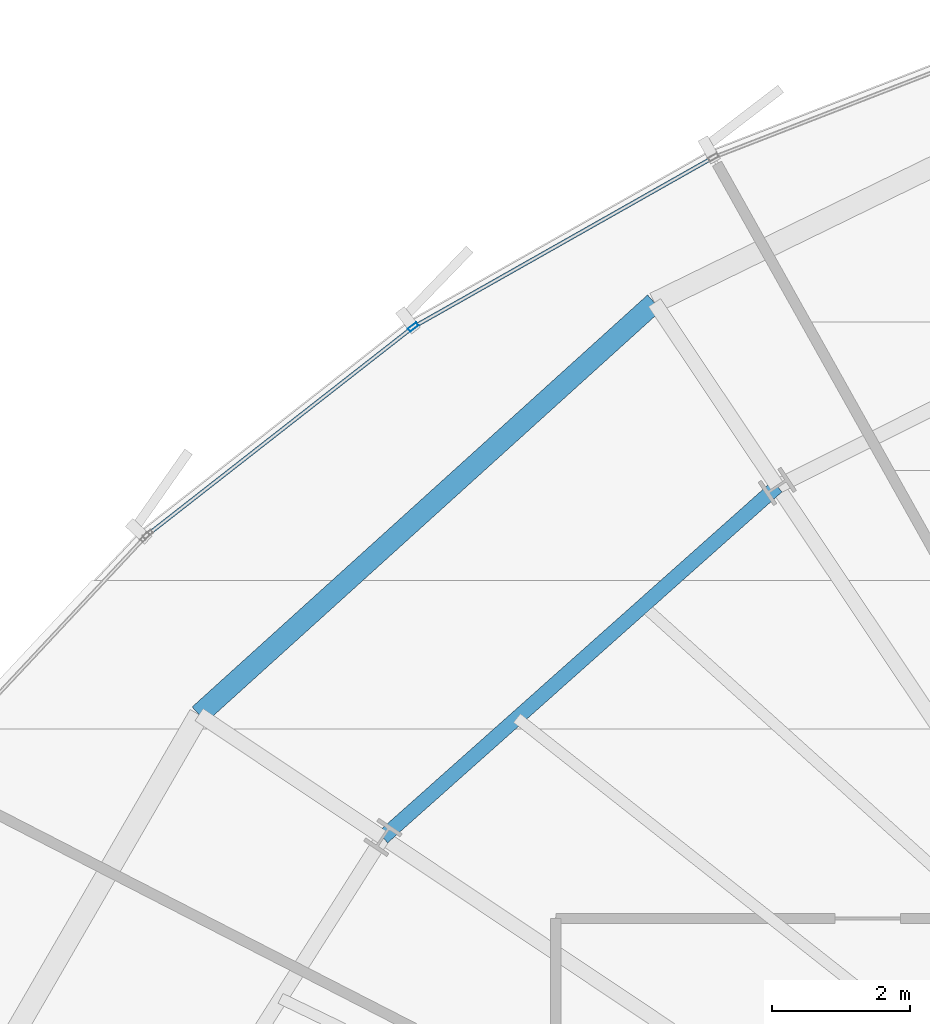
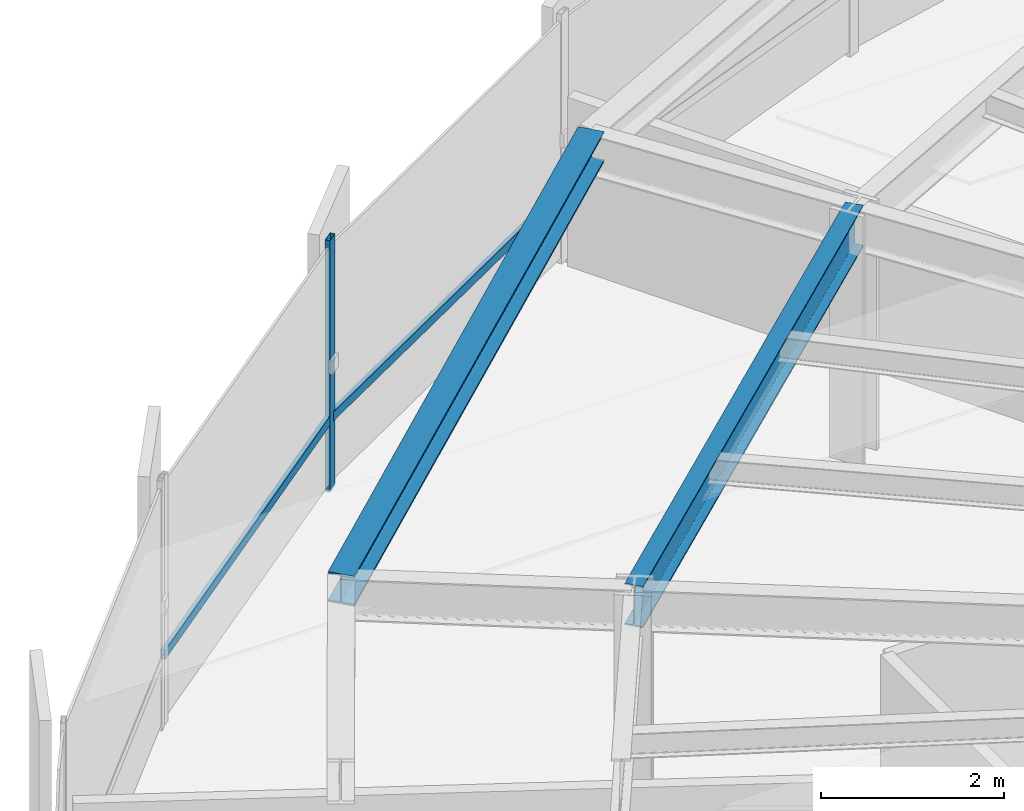
# One storey, part 19 of 35: 3 members, 2 beams, 1 element without a shape of its own.
"""IFC4 building model written with IfcOpenShell, lengths in metres."""

from ifc_helpers import new_model, si_unit, direction, frame, origin, origin_2d, place, context, subcontext, project, spatial, hollow_rectangle, i_section, extrude, source, transform, mapped, material, layer, layer_set, material_profile, profile_set, type_object, element, aggregate, save


model = new_model("IFC4")

# Units and contexts
model_context = context("Model", 3, precision=1e-05, world=origin(), true_north=direction((0.0, 1.0)))
body_context = subcontext(model_context, "Body", "Model", "MODEL_VIEW")
ifc_project = project(units=[si_unit("LENGTHUNIT", "METRE"), si_unit("AREAUNIT", "SQUARE_METRE"), si_unit("VOLUMEUNIT", "CUBIC_METRE"), si_unit("PLANEANGLEUNIT", "RADIAN"), si_unit("MASSUNIT", "GRAM", prefix="KILO"), si_unit("THERMODYNAMICTEMPERATUREUNIT", "KELVIN")], contexts=[model_context])

# Site, building, storey
site_placement = place(None, origin())
site = spatial("IfcSite", under=ifc_project, at=site_placement, CompositionType="ELEMENT")
building_placement = place(site_placement, origin())
building = spatial("IfcBuilding", under=site, at=building_placement, Name="Kethvar Cultural Tower", CompositionType="ELEMENT")
storey_placement = place(building_placement, frame((0.0, 0.0, 103.60009765625)))
storey = spatial("IfcBuildingStorey", under=building, at=storey_placement, Name="L25", CompositionType="ELEMENT", Elevation=103.60009765625)

# Beams
ifc_material_1 = material(Name="Steel S355J2", Category="steel")
ifc_material_profile_1 = material_profile(ifc_material_1, i_section(OverallWidth=0.2099609375, OverallDepth=0.550048828125, WebThickness=0.010986328125, FlangeThickness=0.01708984375, FilletRadius=0.02392578125, at=origin_2d()), Name="Steel S355J2 — IPE550")
ifc_profile_set_1 = profile_set([ifc_material_profile_1], Name="Steel S355J2 — IPE550")
beam_type_1 = type_object("IfcBeamType", Name="BM-IPE550", PredefinedType="BEAM", material=ifc_profile_set_1)
shared_shape_1 = source(origin(), body_context, "Body", "SweptSolid", [
    extrude(i_section(OverallWidth=0.2099609375, OverallDepth=0.550048828125, WebThickness=0.010986328125, FlangeThickness=0.01708984375, FilletRadius=0.02392578125, at=origin_2d()), origin(), (0.0, 0.0, 1.0), 7.64599609375),
])
beam_1_placement = place(storey_placement, frame((36.0576171875, 43.877197265625, 3.072998046875), z_axis=(-0.747021617367, -0.66479974668, 0.0), x_axis=(0.66479974668, -0.747021617367, 0.0)))
element("IfcBeam", 1, at=beam_1_placement, inside=storey, type_object=beam_type_1, Name="L25 Column Ring Tie Beam CR-06", PredefinedType="BEAM", context=body_context, shape_type="MappedRepresentation", body=[
    mapped(shared_shape_1, transform((0.0, 0.0, 0.0), scale=1.0)),
])
ifc_material_profile_2 = material_profile(ifc_material_1, i_section(OverallWidth=0.300048828125, OverallDepth=0.39990234375, WebThickness=0.013427734375, FlangeThickness=0.02392578125, FilletRadius=0.027099609375, at=origin_2d()), Name="Steel S355J2 — HEB400")
ifc_profile_set_2 = profile_set([ifc_material_profile_2], Name="Steel S355J2 — HEB400")
beam_type_2 = type_object("IfcBeamType", Name="BM-SP400", PredefinedType="SPANDREL", material=ifc_profile_set_2)
shared_shape_2 = source(origin(), body_context, "Body", "SweptSolid", [
    extrude(i_section(OverallWidth=0.300048828125, OverallDepth=0.39990234375, WebThickness=0.013427734375, FlangeThickness=0.02392578125, FilletRadius=0.027099609375, at=origin_2d()), origin(), (0.0, 0.0, 1.0), 8.892822265625),
])
beam_2_placement = place(storey_placement, frame((34.27978515625, 46.5380859375, 3.14794921875), z_axis=(-0.741556591679, -0.670890319901, 0.0), x_axis=(0.670890319901, -0.741556591679, 0.0)))
element("IfcBeam", 2, at=beam_2_placement, inside=storey, type_object=beam_type_2, Name="L25 Perimeter Spandrel Beam SP-06", PredefinedType="SPANDREL", context=body_context, shape_type="MappedRepresentation", body=[
    mapped(shared_shape_2, transform((0.0, 0.0, 0.0), scale=1.0)),
])

# Curtain wall, members
ifc_material_2 = material(Name="Aluminium 6063-T6", Category="aluminium")
ifc_layer = layer(ifc_material_2, 0.179931640625, Name="Aluminium 6063-T6", Category="aluminium")
ifc_layer_set = layer_set([ifc_layer], Name="Aluminium 6063-T6 (180 mm)")
curtain_wall_type = type_object("IfcCurtainWallType", Name="CW-SYS-03-Z2", PredefinedType="NOTDEFINED", material=ifc_layer_set)
curtain_wall_placement = place(storey_placement, origin())
curtain_wall = element("IfcCurtainWall", 3, at=curtain_wall_placement, inside=storey, type_object=curtain_wall_type, Name="L25 Curtain Wall Run 02", PredefinedType="NOTDEFINED")
ifc_material_profile_3 = material_profile(ifc_material_2, hollow_rectangle(XDim=0.06005859375, YDim=0.14990234375, WallThickness=0.0048828125, at=origin_2d()), Name="Aluminium 6063-T6 — RHS150x60x5")
ifc_profile_set_3 = profile_set([ifc_material_profile_3], Name="Aluminium 6063-T6 — RHS150x60x5")
member_type_1 = type_object("IfcMemberType", Name="CW-SYS-03-Z2-MUL", PredefinedType="MULLION", material=ifc_profile_set_3)
shared_shape_3 = source(origin(), body_context, "Body", "SweptSolid", [
    extrude(hollow_rectangle(XDim=0.06005859375, YDim=0.14990234375, WallThickness=0.0048828125, at=origin_2d()), origin(), (0.0, 0.0, 1.0), 3.349853515625),
])
member_1_placement = place(storey_placement, frame((30.78662109375, 46.185546875, 0.0), z_axis=(0.0, 0.0, 1.0), x_axis=(0.615936505456, -0.787795799206, 0.0)))
member_1 = element("IfcMember", 4, at=member_1_placement, type_object=member_type_1, Name="CW-L25-R02 Mullion 6", PredefinedType="MULLION", context=body_context, shape_type="MappedRepresentation", body=[
    mapped(shared_shape_3, transform((0.0, 0.0, 0.0), scale=1.0)),
])
ifc_material_profile_4 = material_profile(ifc_material_2, hollow_rectangle(XDim=0.054931640625, YDim=0.1201171875, WallThickness=0.00390625, at=origin_2d()), Name="Aluminium 6063-T6 — RHS120x55x4")
ifc_profile_set_4 = profile_set([ifc_material_profile_4], Name="Aluminium 6063-T6 — RHS120x55x4")
member_type_2 = type_object("IfcMemberType", Name="CW-SYS-03-Z2-TRN", PredefinedType="USERDEFINED", material=ifc_profile_set_4)
shared_shape_4 = source(origin(), body_context, "Body", "SweptSolid", [
    extrude(hollow_rectangle(XDim=0.054931640625, YDim=0.1201171875, WallThickness=0.00390625, at=origin_2d()), origin(), (0.0, 0.0, 1.0), 4.923583984375),
])
member_2_placement = place(storey_placement, frame((35.095947265625, 48.62109375, 0.949951171875), z_axis=(-0.87046493016, -0.492230439288, 0.0), x_axis=(0.492230439288, -0.87046493016, 0.0)))
member_2 = element("IfcMember", 5, at=member_2_placement, type_object=member_type_2, Name="CW-L25-R02 Transom 5", ObjectType="TRANSOM", PredefinedType="USERDEFINED", context=body_context, shape_type="MappedRepresentation", body=[
    mapped(shared_shape_4, transform((0.0, 0.0, 0.0), scale=1.0)),
])
shared_shape_5 = source(origin(), body_context, "Body", "SweptSolid", [
    extrude(hollow_rectangle(XDim=0.054931640625, YDim=0.1201171875, WallThickness=0.00390625, at=origin_2d()), origin(), (0.0, 0.0, 1.0), 4.8291015625),
])
member_3_placement = place(storey_placement, frame((30.752685546875, 46.158935546875, 0.949951171875), z_axis=(-0.787808950393, -0.61591968444, 0.0), x_axis=(0.61591968444, -0.787808950393, 0.0)))
member_3 = element("IfcMember", 6, at=member_3_placement, type_object=member_type_2, Name="CW-L25-R02 Transom 6", ObjectType="TRANSOM", PredefinedType="USERDEFINED", context=body_context, shape_type="MappedRepresentation", body=[
    mapped(shared_shape_5, transform((0.0, 0.0, 0.0), scale=1.0)),
])
aggregate(curtain_wall, [member_1, member_2, member_3])

save(model, "model.ifc")
